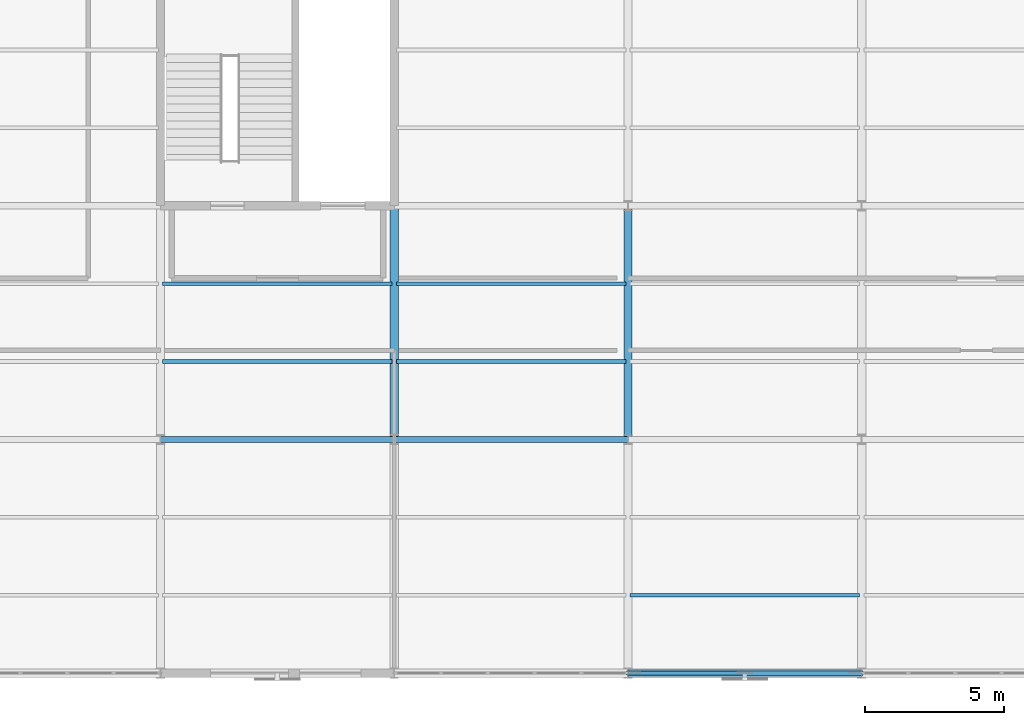
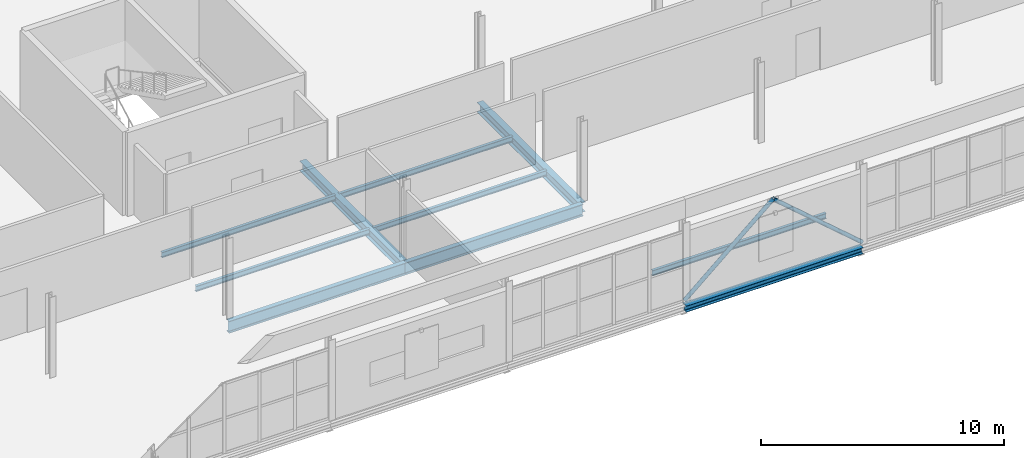
# One storey, part 120 of 184: 10 beams, 2 members.
"""IFC4 building model written with IfcOpenShell, lengths in metres."""

from ifc_helpers import new_model, si_unit, direction, frame, origin, origin_2d, place, context, subcontext, project, spatial, hollow_circle, i_section, extrude, material, material_profile, profile_set, type_object, element, save


model = new_model("IFC4")

# Units and contexts
model_context = context("Model", 3, precision=1e-05, world=origin(), true_north=direction((0.0, 1.0)))
body_context = subcontext(model_context, "Body", "Model", "MODEL_VIEW")
ifc_project = project(units=[si_unit("LENGTHUNIT", "METRE"), si_unit("AREAUNIT", "SQUARE_METRE"), si_unit("VOLUMEUNIT", "CUBIC_METRE"), si_unit("PLANEANGLEUNIT", "RADIAN"), si_unit("MASSUNIT", "GRAM", prefix="KILO")], contexts=[model_context])

# Site, building, storey
site_placement = place(None, origin())
site = spatial("IfcSite", under=ifc_project, at=site_placement, CompositionType="ELEMENT")
building_placement = place(site_placement, origin())
building = spatial("IfcBuilding", under=site, at=building_placement, Name="Qalvenar Corner Mobility Hub", CompositionType="ELEMENT")
storey_placement = place(building_placement, frame((0.0, 0.0, 9.0)))
storey = spatial("IfcBuildingStorey", under=building, at=storey_placement, Name="L02", CompositionType="ELEMENT", Elevation=9.0)

# Beams
ifc_material = material(Name="Steel S355", Category="steel")
ifc_material_profile_1 = material_profile(ifc_material, i_section(OverallWidth=0.300048828125, OverallDepth=0.489990234375, WebThickness=0.011962890625, FlangeThickness=0.02294921875, FilletRadius=0.027099609375, at=origin_2d()), Name="HEA500")
ifc_profile_set_1 = profile_set([ifc_material_profile_1], Name="Steel S355")
beam_type_1 = type_object("IfcBeamType", Name="BM-HEA500", PredefinedType="BEAM", material=ifc_profile_set_1)
for number, where, z_axis, x_axis, name in (
    (1, (134.39990234375, 8.39990234375, -0.425048828125), (0.0, 1.0, 0.0), (-1.0, 0.0, 0.0), "Primary Steel Girder GY-1727"),
    (2, (142.800048828125, 8.39990234375, -0.425048828125), (0.0, 1.0, 0.0), (-1.0, 0.0, 0.0), "Primary Steel Girder GY-1732"),
):
    element("IfcBeam", number, at=place(storey_placement, frame(where, z_axis=z_axis, x_axis=x_axis)), inside=storey, type_object=beam_type_1, Name=name, PredefinedType="BEAM", context=body_context, shape_type="SweptSolid", body=[
        extrude(i_section(OverallWidth=0.300048828125, OverallDepth=0.489990234375, WebThickness=0.011962890625, FlangeThickness=0.02294921875, FilletRadius=0.027099609375, at=origin_2d()), origin(), (0.0, 0.0, 1.0), 8.400146484375),
    ])
ifc_material_profile_2 = material_profile(ifc_material, i_section(OverallWidth=0.219970703125, OverallDepth=0.60009765625, WebThickness=0.011962890625, FlangeThickness=0.01904296875, FilletRadius=0.02392578125, at=origin_2d()), Name="IPE600")
ifc_profile_set_2 = profile_set([ifc_material_profile_2], Name="Steel S355")
beam_type_2 = type_object("IfcBeamType", Name="BM-IPE600", PredefinedType="BEAM", material=ifc_profile_set_2)
beam_1_placement = place(storey_placement, frame((126.0, 8.39990234375, -0.47998046875), z_axis=(1.0, 0.0, 0.0), x_axis=(0.0, 1.0, 0.0)))
element("IfcBeam", 3, at=beam_1_placement, inside=storey, type_object=beam_type_2, Name="Primary Steel Girder GX-1678", PredefinedType="BEAM", context=body_context, shape_type="SweptSolid", body=[
    extrude(i_section(OverallWidth=0.219970703125, OverallDepth=0.60009765625, WebThickness=0.011962890625, FlangeThickness=0.01904296875, FilletRadius=0.02392578125, at=origin_2d()), origin(), (0.0, 0.0, 1.0), 8.39990234375),
])
beam_2_placement = place(storey_placement, frame((134.39990234375, 8.39990234375, -0.47998046875), z_axis=(1.0, 0.0, 0.0), x_axis=(0.0, 1.0, 0.0)))
element("IfcBeam", 4, at=beam_2_placement, inside=storey, type_object=beam_type_2, Name="Primary Steel Girder GX-1679", PredefinedType="BEAM", context=body_context, shape_type="SweptSolid", body=[
    extrude(i_section(OverallWidth=0.219970703125, OverallDepth=0.60009765625, WebThickness=0.011962890625, FlangeThickness=0.01904296875, FilletRadius=0.02392578125, at=origin_2d()), origin(), (0.0, 0.0, 1.0), 8.400146484375),
])
ifc_material_profile_3 = material_profile(ifc_material, i_section(OverallWidth=0.135009765625, OverallDepth=0.27001953125, WebThickness=0.006591796875, FlangeThickness=0.01025390625, FilletRadius=0.014892578125, at=origin_2d()), Name="IPE270")
ifc_profile_set_3 = profile_set([ifc_material_profile_3], Name="Steel S355")
beam_type_3 = type_object("IfcBeamType", Name="BM-JST270", PredefinedType="JOIST", material=ifc_profile_set_3)
for number, where, z_axis, x_axis, name in (
    (5, (126.077880859375, 11.199951171875, -0.31494140625), (1.0, 0.0, 0.0), (0.0, 1.0, 0.0), "Composite Floor Joist J-1773"),
    (6, (126.077880859375, 14.0, -0.31494140625), (1.0, 0.0, 0.0), (0.0, 1.0, 0.0), "Composite Floor Joist J-1774"),
):
    element("IfcBeam", number, at=place(storey_placement, frame(where, z_axis=z_axis, x_axis=x_axis)), inside=storey, type_object=beam_type_3, Name=name, PredefinedType="JOIST", context=body_context, shape_type="SweptSolid", body=[
        extrude(i_section(OverallWidth=0.135009765625, OverallDepth=0.27001953125, WebThickness=0.006591796875, FlangeThickness=0.01025390625, FilletRadius=0.014892578125, at=origin_2d()), origin(), (0.0, 0.0, 1.0), 8.244140625),
    ])
for number, where, z_axis, x_axis, name in (
    (7, (134.47802734375, 11.199951171875, -0.31494140625), (1.0, 0.0, 0.0), (0.0, 1.0, 0.0), "Composite Floor Joist J-1781"),
    (8, (134.47802734375, 14.0, -0.31494140625), (1.0, 0.0, 0.0), (0.0, 1.0, 0.0), "Composite Floor Joist J-1782"),
):
    element("IfcBeam", number, at=place(storey_placement, frame(where, z_axis=z_axis, x_axis=x_axis)), inside=storey, type_object=beam_type_3, Name=name, PredefinedType="JOIST", context=body_context, shape_type="SweptSolid", body=[
        extrude(i_section(OverallWidth=0.135009765625, OverallDepth=0.27001953125, WebThickness=0.006591796875, FlangeThickness=0.01025390625, FilletRadius=0.014892578125, at=origin_2d()), origin(), (0.0, 0.0, 1.0), 8.243896484375),
    ])
beam_3_placement = place(storey_placement, frame((142.8779296875, 2.800048828125, -0.31494140625), z_axis=(1.0, 0.0, 0.0), x_axis=(0.0, 1.0, 0.0)))
element("IfcBeam", 9, at=beam_3_placement, inside=storey, type_object=beam_type_3, Name="Composite Floor Joist J-1789", PredefinedType="JOIST", context=body_context, shape_type="SweptSolid", body=[
    extrude(i_section(OverallWidth=0.135009765625, OverallDepth=0.27001953125, WebThickness=0.006591796875, FlangeThickness=0.01025390625, FilletRadius=0.014892578125, at=origin_2d()), origin(), (0.0, 0.0, 1.0), 8.244140625),
])
ifc_material_profile_4 = material_profile(ifc_material, i_section(OverallWidth=0.300048828125, OverallDepth=0.31005859375, WebThickness=0.009033203125, FlangeThickness=0.015380859375, FilletRadius=0.027099609375, at=origin_2d()), Name="HEA320")
ifc_profile_set_4 = profile_set([ifc_material_profile_4], Name="Steel S355")
beam_type_4 = type_object("IfcBeamType", Name="BM-SPN320", PredefinedType="SPANDREL", material=ifc_profile_set_4)
beam_4_placement = place(storey_placement, frame((142.800048828125, 0.0, -0.3349609375), z_axis=(1.0, 0.0, 0.0), x_axis=(0.0, 1.0, 0.0)))
element("IfcBeam", 10, at=beam_4_placement, inside=storey, type_object=beam_type_4, Name="Primary Steel Girder GX-1673", PredefinedType="SPANDREL", context=body_context, shape_type="SweptSolid", body=[
    extrude(i_section(OverallWidth=0.300048828125, OverallDepth=0.31005859375, WebThickness=0.009033203125, FlangeThickness=0.015380859375, FilletRadius=0.027099609375, at=origin_2d()), origin(), (0.0, 0.0, 1.0), 8.39990234375),
])

# Members
ifc_material_profile_5 = material_profile(ifc_material, hollow_circle(Radius=0.096923828125, WallThickness=0.008056640625, at=origin_2d()), Name="CHS193.7x8")
ifc_profile_set_5 = profile_set([ifc_material_profile_5], Name="Steel S355")
member_type = type_object("IfcMemberType", Name="BR-CHS193", PredefinedType="BRACE", material=ifc_profile_set_5)
for number, where, z_axis, x_axis, name in (
    (11, (142.800048828125, 0.0, 0.02001953125), (0.757479038629, 0.0, 0.652859484145), (0.0, 1.0, 0.0), "Chevron Lateral Brace BR-043"),
    (12, (151.199951171875, 0.0, 0.02001953125), (-0.757479038629, 0.0, 0.652859484145), (0.0, -1.0, 0.0), "Chevron Lateral Brace BR-044"),
):
    element("IfcMember", number, at=place(storey_placement, frame(where, z_axis=z_axis, x_axis=x_axis)), inside=storey, type_object=member_type, Name=name, PredefinedType="BRACE", context=body_context, shape_type="SweptSolid", body=[
        extrude(hollow_circle(Radius=0.096923828125, WallThickness=0.008056640625, at=origin_2d()), origin(), (0.0, 0.0, 1.0), 5.544677734375),
    ])

save(model, "model.ifc")
